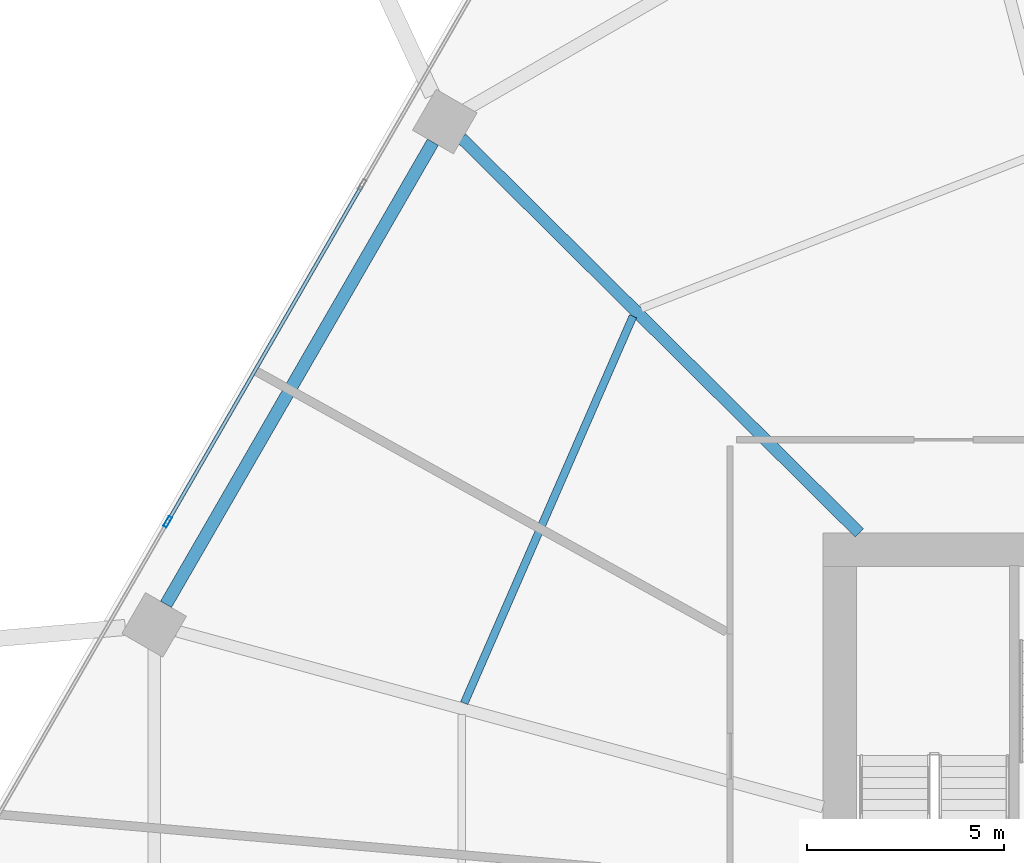
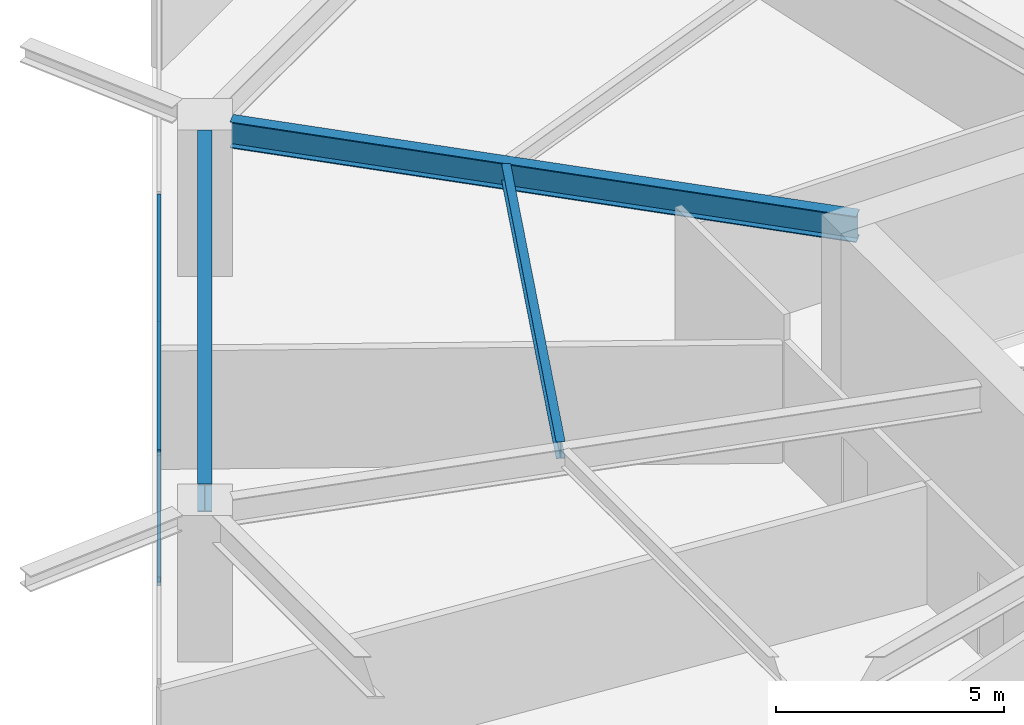
# One storey, part 13 of 25: 3 beams, 3 members, 1 element without a shape of its own.
"""IFC4 building model written with IfcOpenShell, lengths in metres."""

from ifc_helpers import new_model, si_unit, direction, frame, origin, origin_2d, place, context, subcontext, project, spatial, hollow_rectangle, i_section, extrude, material, material_profile, profile_set, type_object, element, aggregate, save


model = new_model("IFC4")

# Units and contexts
model_context = context("Model", 3, precision=1e-05, world=origin(), true_north=direction((0.0, 1.0)))
body_context = subcontext(model_context, "Body", "Model", "MODEL_VIEW")
ifc_project = project(units=[si_unit("LENGTHUNIT", "METRE"), si_unit("AREAUNIT", "SQUARE_METRE"), si_unit("VOLUMEUNIT", "CUBIC_METRE"), si_unit("PLANEANGLEUNIT", "RADIAN"), si_unit("MASSUNIT", "GRAM", prefix="KILO")], contexts=[model_context])

# Site, building, storey
site_placement = place(None, origin())
site = spatial("IfcSite", under=ifc_project, at=site_placement, CompositionType="ELEMENT")
building_placement = place(site_placement, origin())
building = spatial("IfcBuilding", under=site, at=building_placement, Name="Zuhravey Tower", CompositionType="ELEMENT")
storey_placement = place(building_placement, frame((0.0, 0.0, 54.0)))
storey = spatial("IfcBuildingStorey", under=building, at=storey_placement, Name="L13", CompositionType="ELEMENT", Elevation=54.0)

# Curtain wall, members
ifc_material_1 = material(Name="Thermally broken anodised aluminium", Category="aluminium")
curtain_wall_type = type_object("IfcCurtainWallType", Name="School Low-E Unitised Curtain Wall CW1", PredefinedType="NOTDEFINED", material=ifc_material_1)
curtain_wall_placement = place(storey_placement, origin())
curtain_wall = element("IfcCurtainWall", 1, at=curtain_wall_placement, inside=storey, type_object=curtain_wall_type, Name="L13 CW1 CW-L13-F3-1", PredefinedType="NOTDEFINED")
ifc_material_2 = material(Name="Anodised aluminium", Category="aluminium")
ifc_material_profile_1 = material_profile(ifc_material_2, hollow_rectangle(XDim=0.090087890625, YDim=0.284912109375, WallThickness=0.0048828125, at=origin_2d()), Name="ALU-RHS-90x285x5")
ifc_profile_set_1 = profile_set([ifc_material_profile_1], Name="Anodised aluminium")
member_type_1 = type_object("IfcMemberType", Name="Curtain-Wall Mullion 90x180", PredefinedType="MULLION", material=ifc_profile_set_1)
member_1_placement = place(storey_placement, frame((8.45458984375, 42.20703125, 0.0), z_axis=(0.0, 0.0, 1.0), x_axis=(-0.86602552265, 0.499999794119, 0.0)))
member_1 = element("IfcMember", 2, at=member_1_placement, type_object=member_type_1, Name="CW1 mullion 2", PredefinedType="MULLION", context=body_context, shape_type="SweptSolid", body=[
    extrude(hollow_rectangle(XDim=0.090087890625, YDim=0.284912109375, WallThickness=0.0048828125, at=origin_2d()), origin(), (0.0, 0.0, 1.0), 3.491943359375),
])
ifc_material_profile_2 = material_profile(ifc_material_2, hollow_rectangle(XDim=0.090087890625, YDim=0.14990234375, WallThickness=0.0048828125, at=origin_2d()), Name="ALU-RHS-90x150x5")
ifc_profile_set_2 = profile_set([ifc_material_profile_2], Name="Anodised aluminium")
member_type_2 = type_object("IfcMemberType", Name="Curtain-Wall Transom 90x150", PredefinedType="USERDEFINED", material=ifc_profile_set_2)
member_2_placement = place(storey_placement, frame((8.47705078125, 42.245849609375, 0.044921875), z_axis=(0.499990498062, 0.866030889661, 0.0), x_axis=(-0.866030889661, 0.499990498062, 0.0)))
member_2 = element("IfcMember", 3, at=member_2_placement, type_object=member_type_2, Name="CW1 transom 2.1", ObjectType="TRANSOM", PredefinedType="USERDEFINED", context=body_context, shape_type="SweptSolid", body=[
    extrude(hollow_rectangle(XDim=0.090087890625, YDim=0.14990234375, WallThickness=0.0048828125, at=origin_2d()), origin(), (0.0, 0.0, 1.0), 9.776611328125),
])
member_3_placement = place(storey_placement, frame((8.47705078125, 42.245849609375, 3.447021484375), z_axis=(0.499990498062, 0.866030889661, 0.0), x_axis=(-0.866030889661, 0.499990498062, 0.0)))
member_3 = element("IfcMember", 4, at=member_3_placement, type_object=member_type_2, Name="CW1 transom 2.2", ObjectType="TRANSOM", PredefinedType="USERDEFINED", context=body_context, shape_type="SweptSolid", body=[
    extrude(hollow_rectangle(XDim=0.090087890625, YDim=0.14990234375, WallThickness=0.0048828125, at=origin_2d()), origin(), (0.0, 0.0, 1.0), 9.776611328125),
])
aggregate(curtain_wall, [member_1, member_2, member_3])

# Beams
ifc_material_3 = material(Name="Steel SM355", Category="steel")
ifc_material_profile_3 = material_profile(ifc_material_3, i_section(OverallWidth=0.320068359375, OverallDepth=0.75, WebThickness=0.013916015625, FlangeThickness=0.02490234375, at=origin_2d()), Name="H-750x320x14x25")
ifc_profile_set_3 = profile_set([ifc_material_profile_3], Name="Steel SM355")
beam_type_1 = type_object("IfcBeamType", Name="Perimeter Ring Beam H750x320", PredefinedType="BEAM", material=ifc_profile_set_3)
beam_1_placement = place(storey_placement, frame((15.179443359375, 51.834716796875, 3.544921875), z_axis=(-0.499999877243, -0.866025474658, 0.0), x_axis=(0.866025474658, -0.499999877243, 0.0)))
element("IfcBeam", 5, at=beam_1_placement, inside=storey, type_object=beam_type_1, Name="L13 PB1 BM-L13-PB-05", PredefinedType="BEAM", context=body_context, shape_type="SweptSolid", body=[
    extrude(i_section(OverallWidth=0.320068359375, OverallDepth=0.75, WebThickness=0.013916015625, FlangeThickness=0.02490234375, at=origin_2d()), origin(), (0.0, 0.0, 1.0), 13.5341796875),
])
ifc_material_profile_4 = material_profile(ifc_material_3, i_section(OverallWidth=0.300048828125, OverallDepth=0.699951171875, WebThickness=0.012939453125, FlangeThickness=0.02392578125, at=origin_2d()), Name="H-700x300x13x24")
ifc_profile_set_4 = profile_set([ifc_material_profile_4], Name="Steel SM355")
beam_type_2 = type_object("IfcBeamType", Name="Radial Primary Girder H700x300", PredefinedType="BEAM", material=ifc_profile_set_4)
beam_2_placement = place(storey_placement, frame((25.992919921875, 41.927978515625, 3.570068359375), z_axis=(-0.709902823282, 0.704299639, 0.0), x_axis=(-0.704299639, -0.709902823282, 0.0)))
element("IfcBeam", 6, at=beam_2_placement, inside=storey, type_object=beam_type_2, Name="L13 RG1 BM-L13-RAD-05", PredefinedType="BEAM", context=body_context, shape_type="SweptSolid", body=[
    extrude(i_section(OverallWidth=0.300048828125, OverallDepth=0.699951171875, WebThickness=0.012939453125, FlangeThickness=0.02392578125, at=origin_2d()), origin(), (0.0, 0.0, 1.0), 14.204345703125),
])
ifc_material_profile_5 = material_profile(ifc_material_3, i_section(OverallWidth=0.199951171875, OverallDepth=0.449951171875, WebThickness=0.009033203125, FlangeThickness=0.013916015625, at=origin_2d()), Name="H-450x200x9x14")
ifc_profile_set_5 = profile_set([ifc_material_profile_5], Name="Steel SM355")
beam_type_3 = type_object("IfcBeamType", Name="Secondary Floor Joist H450x200", PredefinedType="JOIST", material=ifc_profile_set_5)
beam_3_placement = place(storey_placement, frame((20.2548828125, 47.41845703125, 3.695068359375), z_axis=(-0.399923551578, -0.916548500022, 0.0), x_axis=(0.916548500022, -0.399923551578, 0.0)))
element("IfcBeam", 7, at=beam_3_placement, inside=storey, type_object=beam_type_3, Name="L13 SJ1 BM-L13-SJ-05-1", PredefinedType="JOIST", context=body_context, shape_type="SweptSolid", body=[
    extrude(i_section(OverallWidth=0.199951171875, OverallDepth=0.449951171875, WebThickness=0.009033203125, FlangeThickness=0.013916015625, at=origin_2d()), origin(), (0.0, 0.0, 1.0), 10.70263671875),
])

save(model, "model.ifc")
